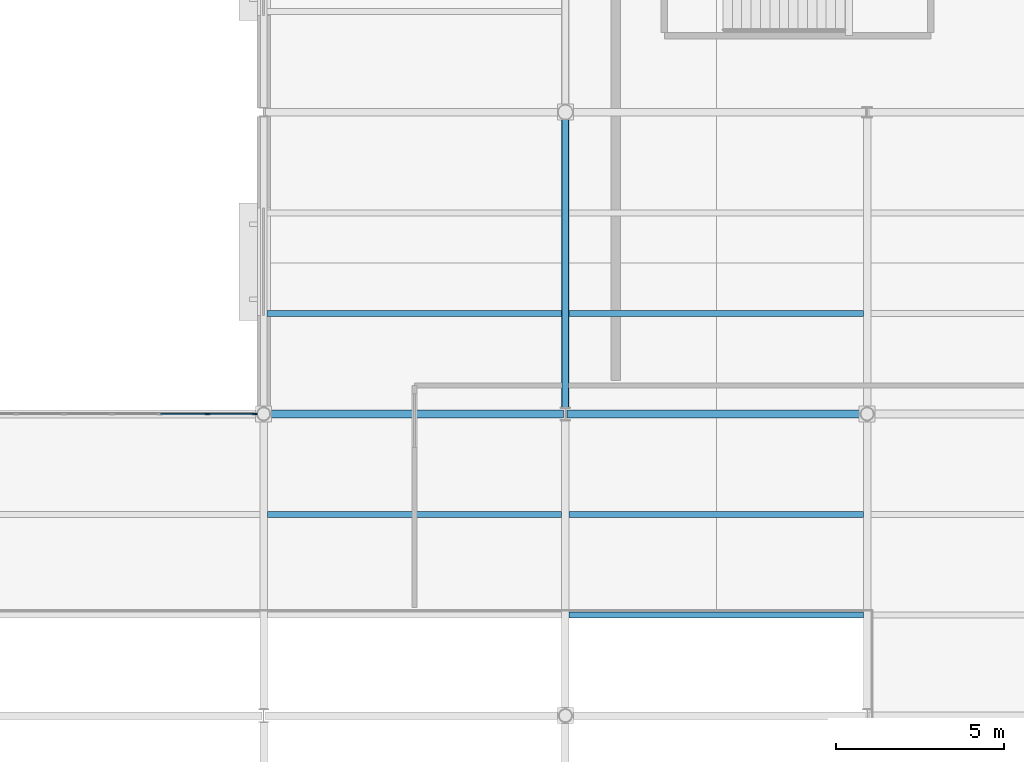
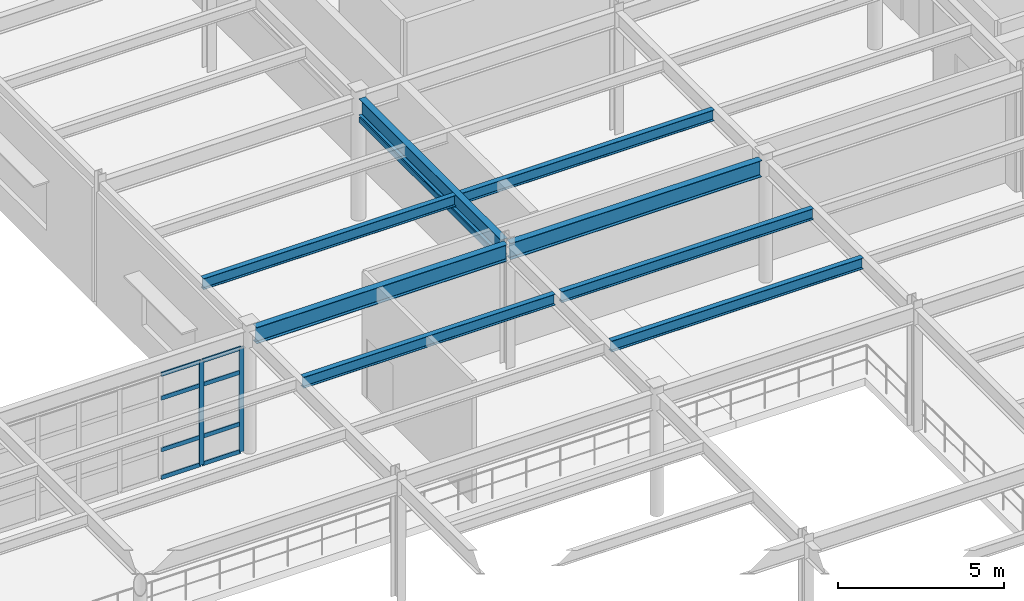
# One storey, part 26 of 86: 10 members, 9 beams, 1 element without a shape of its own.
"""IFC4 building model written with IfcOpenShell, lengths in metres."""

from ifc_helpers import new_model, si_unit, direction, frame, origin, origin_2d, place, context, subcontext, project, spatial, rectangle, hollow_rectangle, i_section, extrude, material, material_profile, profile_set, type_object, element, aggregate, save


model = new_model("IFC4")

# Units and contexts
model_context = context("Model", 3, precision=1e-05, world=origin(), true_north=direction((0.0, 1.0)))
body_context = subcontext(model_context, "Body", "Model", "MODEL_VIEW")
ifc_project = project(units=[si_unit("LENGTHUNIT", "METRE"), si_unit("AREAUNIT", "SQUARE_METRE"), si_unit("VOLUMEUNIT", "CUBIC_METRE"), si_unit("PLANEANGLEUNIT", "RADIAN"), si_unit("MASSUNIT", "GRAM", prefix="KILO")], contexts=[model_context])

# Site, building, storey
site_placement = place(None, origin())
site = spatial("IfcSite", under=ifc_project, at=site_placement, CompositionType="ELEMENT")
building_placement = place(site_placement, origin())
building = spatial("IfcBuilding", under=site, at=building_placement, Name="Glasvene Arena", CompositionType="ELEMENT")
storey_placement = place(building_placement, frame((0.0, 0.0, 5.39990234375)))
storey = spatial("IfcBuildingStorey", under=building, at=storey_placement, Name="L01", CompositionType="ELEMENT", Elevation=5.39990234375)

# Beams
ifc_material_1 = material(Name="Steel S355J2", Category="steel")
ifc_material_profile_1 = material_profile(ifc_material_1, i_section(OverallWidth=0.228271484375, OverallDepth=0.607666015625, WebThickness=0.010986328125, FlangeThickness=0.017333984375, FilletRadius=0.0126953125, at=origin_2d()), Name="UKB 610x229x113")
ifc_profile_set_1 = profile_set([ifc_material_profile_1], Name="Steel S355J2")
beam_type_1 = type_object("IfcBeamType", Name="BM-GIRD-610", PredefinedType="BEAM", material=ifc_profile_set_1)
for number, where, z_axis, x_axis, name in (
    (1, (18.1982421875, 27.0, 4.21630859375), (1.0, 0.0, 0.0), (0.0, 1.0, 0.0), "Primary X girder L01-0542"),
    (2, (27.050048828125, 27.0, 4.21630859375), (1.0, 0.0, 0.0), (0.0, 1.0, 0.0), "Primary X girder L01-0543"),
):
    element("IfcBeam", number, at=place(storey_placement, frame(where, z_axis=z_axis, x_axis=x_axis)), inside=storey, type_object=beam_type_1, Name=name, PredefinedType="BEAM", context=body_context, shape_type="SweptSolid", body=[
        extrude(i_section(OverallWidth=0.228271484375, OverallDepth=0.607666015625, WebThickness=0.010986328125, FlangeThickness=0.017333984375, FilletRadius=0.0126953125, at=origin_2d()), origin(), (0.0, 0.0, 1.0), 8.751708984375),
    ])
beam_1_placement = place(storey_placement, frame((27.0, 27.195068359375, 4.21630859375), z_axis=(0.0, 1.0, 0.0), x_axis=(-1.0, 0.0, 0.0)))
element("IfcBeam", 3, at=beam_1_placement, inside=storey, type_object=beam_type_1, Name="Primary Y girder L01-0629", PredefinedType="BEAM", context=body_context, shape_type="SweptSolid", body=[
    extrude(i_section(OverallWidth=0.228271484375, OverallDepth=0.607666015625, WebThickness=0.010986328125, FlangeThickness=0.017333984375, FilletRadius=0.0126953125, at=origin_2d()), origin(), (0.0, 0.0, 1.0), 8.58154296875),
])
ifc_material_profile_2 = material_profile(ifc_material_1, i_section(OverallWidth=0.177978515625, OverallDepth=0.406494140625, WebThickness=0.0078125, FlangeThickness=0.0126953125, FilletRadius=0.01025390625, at=origin_2d()), Name="UKB 406x178x60")
ifc_profile_set_2 = profile_set([ifc_material_profile_2], Name="Steel S355J2")
beam_type_2 = type_object("IfcBeamType", Name="BM-JOIST-406", PredefinedType="JOIST", material=ifc_profile_set_2)
beam_2_placement = place(storey_placement, frame((18.110107421875, 24.0, 4.31689453125), z_axis=(1.0, 0.0, 0.0), x_axis=(0.0, 1.0, 0.0)))
element("IfcBeam", 4, at=beam_2_placement, inside=storey, type_object=beam_type_2, Name="Composite floor joist L01-0702", PredefinedType="JOIST", context=body_context, shape_type="SweptSolid", body=[
    extrude(i_section(OverallWidth=0.177978515625, OverallDepth=0.406494140625, WebThickness=0.0078125, FlangeThickness=0.0126953125, FilletRadius=0.01025390625, at=origin_2d()), origin(), (0.0, 0.0, 1.0), 8.77978515625),
])
beam_3_placement = place(storey_placement, frame((18.095947265625, 30.0, 4.31689453125), z_axis=(1.0, 0.0, 0.0), x_axis=(0.0, 1.0, 0.0)))
element("IfcBeam", 5, at=beam_3_placement, inside=storey, type_object=beam_type_2, Name="Composite floor joist L01-0703", PredefinedType="JOIST", context=body_context, shape_type="SweptSolid", body=[
    extrude(i_section(OverallWidth=0.177978515625, OverallDepth=0.406494140625, WebThickness=0.0078125, FlangeThickness=0.0126953125, FilletRadius=0.01025390625, at=origin_2d()), origin(), (0.0, 0.0, 1.0), 8.7939453125),
])
for number, where, z_axis, x_axis, name in (
    (6, (27.110107421875, 21.0, 4.31689453125), (1.0, 0.0, 0.0), (0.0, 1.0, 0.0), "Composite floor joist L01-0715"),
    (7, (27.110107421875, 24.0, 4.31689453125), (1.0, 0.0, 0.0), (0.0, 1.0, 0.0), "Composite floor joist L01-0716"),
    (8, (27.110107421875, 30.0, 4.31689453125), (1.0, 0.0, 0.0), (0.0, 1.0, 0.0), "Composite floor joist L01-0717"),
):
    element("IfcBeam", number, at=place(storey_placement, frame(where, z_axis=z_axis, x_axis=x_axis)), inside=storey, type_object=beam_type_2, Name=name, PredefinedType="JOIST", context=body_context, shape_type="SweptSolid", body=[
        extrude(i_section(OverallWidth=0.177978515625, OverallDepth=0.406494140625, WebThickness=0.0078125, FlangeThickness=0.0126953125, FilletRadius=0.01025390625, at=origin_2d()), origin(), (0.0, 0.0, 1.0), 8.77978515625),
    ])
ifc_material_profile_3 = material_profile(ifc_material_1, hollow_rectangle(XDim=0.199951171875, YDim=0.199951171875, WallThickness=0.010009765625, at=origin_2d()), Name="SHS 200x200x10.0")
ifc_profile_set_3 = profile_set([ifc_material_profile_3], Name="Steel S355J2")
beam_type_3 = type_object("IfcBeamType", Name="BM-LINTEL-200", PredefinedType="LINTEL", material=ifc_profile_set_3)
beam_4_placement = place(storey_placement, frame((27.0, 27.196044921875, 3.739990234375), z_axis=(0.0, 1.0, 0.0), x_axis=(-1.0, 0.0, 0.0)))
element("IfcBeam", 9, at=beam_4_placement, inside=storey, type_object=beam_type_3, Name="Passage portal lintel L01-3-3", PredefinedType="LINTEL", context=body_context, shape_type="SweptSolid", body=[
    extrude(hollow_rectangle(XDim=0.199951171875, YDim=0.199951171875, WallThickness=0.010009765625, at=origin_2d()), origin(), (0.0, 0.0, 1.0), 8.579345703125),
])

# Curtain wall, members
ifc_material_2 = material(Name="Low-emissivity laminated double glazing", Category="glass")
curtain_wall_type = type_object("IfcCurtainWallType", Name="CW-FAC-L01-856x385", PredefinedType="USERDEFINED", material=ifc_material_2)
curtain_wall_placement = place(storey_placement, frame((9.19189453125, 27.0, 0.0)))
curtain_wall = element("IfcCurtainWall", 10, at=curtain_wall_placement, inside=storey, type_object=curtain_wall_type, Name="Unitised curtain wall CW-F-L01-150-135-270-67", ObjectType="CURTAIN WALL", PredefinedType="USERDEFINED")
ifc_material_3 = material(Name="Anodised architectural aluminium", Category="aluminium")
ifc_material_profile_4 = material_profile(ifc_material_3, rectangle(XDim=0.050048828125, YDim=0.159912109375, at=origin_2d()), Name="ALU MULLION 50x160")
ifc_profile_set_4 = profile_set([ifc_material_profile_4], Name="Anodised architectural aluminium")
member_type_1 = type_object("IfcMemberType", Name="CW-MUL-150", PredefinedType="MULLION", material=ifc_profile_set_4)
member_1_placement = place(storey_placement, frame((16.32763671875, 27.0, 0.06005859375), z_axis=(0.0, 0.0, 1.0), x_axis=(0.0, 1.0, 0.0)))
member_1 = element("IfcMember", 11, at=member_1_placement, type_object=member_type_1, Name="CW-017 mullion 6", PredefinedType="MULLION", context=body_context, shape_type="SweptSolid", body=[
    extrude(rectangle(XDim=0.050048828125, YDim=0.159912109375, at=origin_2d()), origin(), (0.0, 0.0, 1.0), 3.846923828125),
])
member_2_placement = place(storey_placement, frame((17.729736328125, 27.0, 0.06005859375), z_axis=(0.0, 0.0, 1.0), x_axis=(0.0, 1.0, 0.0)))
member_2 = element("IfcMember", 12, at=member_2_placement, type_object=member_type_1, Name="CW-017 mullion 7", PredefinedType="MULLION", context=body_context, shape_type="SweptSolid", body=[
    extrude(rectangle(XDim=0.050048828125, YDim=0.159912109375, at=origin_2d()), origin(), (0.0, 0.0, 1.0), 3.846923828125),
])
ifc_material_profile_5 = material_profile(ifc_material_3, rectangle(XDim=0.050048828125, YDim=0.14990234375, at=origin_2d()), Name="ALU TRANSOM 50x150")
ifc_profile_set_5 = profile_set([ifc_material_profile_5], Name="Anodised architectural aluminium")
member_type_2 = type_object("IfcMemberType", Name="CW-TRN-150", PredefinedType="USERDEFINED", material=ifc_profile_set_5)
member_3_placement = place(storey_placement, frame((14.925537109375, 27.0, 0.085205078125), z_axis=(1.0, 0.0, 0.0), x_axis=(0.0, 1.0, 0.0)))
member_3 = element("IfcMember", 13, at=member_3_placement, type_object=member_type_2, Name="CW-017 transom 5.1", ObjectType="TRANSOM", PredefinedType="USERDEFINED", context=body_context, shape_type="SweptSolid", body=[
    extrude(rectangle(XDim=0.050048828125, YDim=0.14990234375, at=origin_2d()), origin(), (0.0, 0.0, 1.0), 1.377197265625),
])
member_4_placement = place(storey_placement, frame((14.925537109375, 27.0, 1.10009765625), z_axis=(1.0, 0.0, 0.0), x_axis=(0.0, 1.0, 0.0)))
member_4 = element("IfcMember", 14, at=member_4_placement, type_object=member_type_2, Name="CW-017 transom 5.2", ObjectType="TRANSOM", PredefinedType="USERDEFINED", context=body_context, shape_type="SweptSolid", body=[
    extrude(rectangle(XDim=0.050048828125, YDim=0.14990234375, at=origin_2d()), origin(), (0.0, 0.0, 1.0), 1.377197265625),
])
member_5_placement = place(storey_placement, frame((14.925537109375, 27.0, 3.007080078125), z_axis=(1.0, 0.0, 0.0), x_axis=(0.0, 1.0, 0.0)))
member_5 = element("IfcMember", 15, at=member_5_placement, type_object=member_type_2, Name="CW-017 transom 5.3", ObjectType="TRANSOM", PredefinedType="USERDEFINED", context=body_context, shape_type="SweptSolid", body=[
    extrude(rectangle(XDim=0.050048828125, YDim=0.14990234375, at=origin_2d()), origin(), (0.0, 0.0, 1.0), 1.377197265625),
])
member_6_placement = place(storey_placement, frame((14.925537109375, 27.0, 3.882080078125), z_axis=(1.0, 0.0, 0.0), x_axis=(0.0, 1.0, 0.0)))
member_6 = element("IfcMember", 16, at=member_6_placement, type_object=member_type_2, Name="CW-017 transom 5.4", ObjectType="TRANSOM", PredefinedType="USERDEFINED", context=body_context, shape_type="SweptSolid", body=[
    extrude(rectangle(XDim=0.050048828125, YDim=0.14990234375, at=origin_2d()), origin(), (0.0, 0.0, 1.0), 1.377197265625),
])
member_7_placement = place(storey_placement, frame((16.352783203125, 27.0, 0.085205078125), z_axis=(1.0, 0.0, 0.0), x_axis=(0.0, 1.0, 0.0)))
member_7 = element("IfcMember", 17, at=member_7_placement, type_object=member_type_2, Name="CW-017 transom 6.1", ObjectType="TRANSOM", PredefinedType="USERDEFINED", context=body_context, shape_type="SweptSolid", body=[
    extrude(rectangle(XDim=0.050048828125, YDim=0.14990234375, at=origin_2d()), origin(), (0.0, 0.0, 1.0), 1.35205078125),
])
member_8_placement = place(storey_placement, frame((16.352783203125, 27.0, 1.10009765625), z_axis=(1.0, 0.0, 0.0), x_axis=(0.0, 1.0, 0.0)))
member_8 = element("IfcMember", 18, at=member_8_placement, type_object=member_type_2, Name="CW-017 transom 6.2", ObjectType="TRANSOM", PredefinedType="USERDEFINED", context=body_context, shape_type="SweptSolid", body=[
    extrude(rectangle(XDim=0.050048828125, YDim=0.14990234375, at=origin_2d()), origin(), (0.0, 0.0, 1.0), 1.35205078125),
])
member_9_placement = place(storey_placement, frame((16.352783203125, 27.0, 3.007080078125), z_axis=(1.0, 0.0, 0.0), x_axis=(0.0, 1.0, 0.0)))
member_9 = element("IfcMember", 19, at=member_9_placement, type_object=member_type_2, Name="CW-017 transom 6.3", ObjectType="TRANSOM", PredefinedType="USERDEFINED", context=body_context, shape_type="SweptSolid", body=[
    extrude(rectangle(XDim=0.050048828125, YDim=0.14990234375, at=origin_2d()), origin(), (0.0, 0.0, 1.0), 1.35205078125),
])
member_10_placement = place(storey_placement, frame((16.352783203125, 27.0, 3.882080078125), z_axis=(1.0, 0.0, 0.0), x_axis=(0.0, 1.0, 0.0)))
member_10 = element("IfcMember", 20, at=member_10_placement, type_object=member_type_2, Name="CW-017 transom 6.4", ObjectType="TRANSOM", PredefinedType="USERDEFINED", context=body_context, shape_type="SweptSolid", body=[
    extrude(rectangle(XDim=0.050048828125, YDim=0.14990234375, at=origin_2d()), origin(), (0.0, 0.0, 1.0), 1.35205078125),
])
aggregate(curtain_wall, [member_1, member_2, member_3, member_4, member_5, member_6, member_7, member_8, member_9, member_10])

save(model, "model.ifc")
